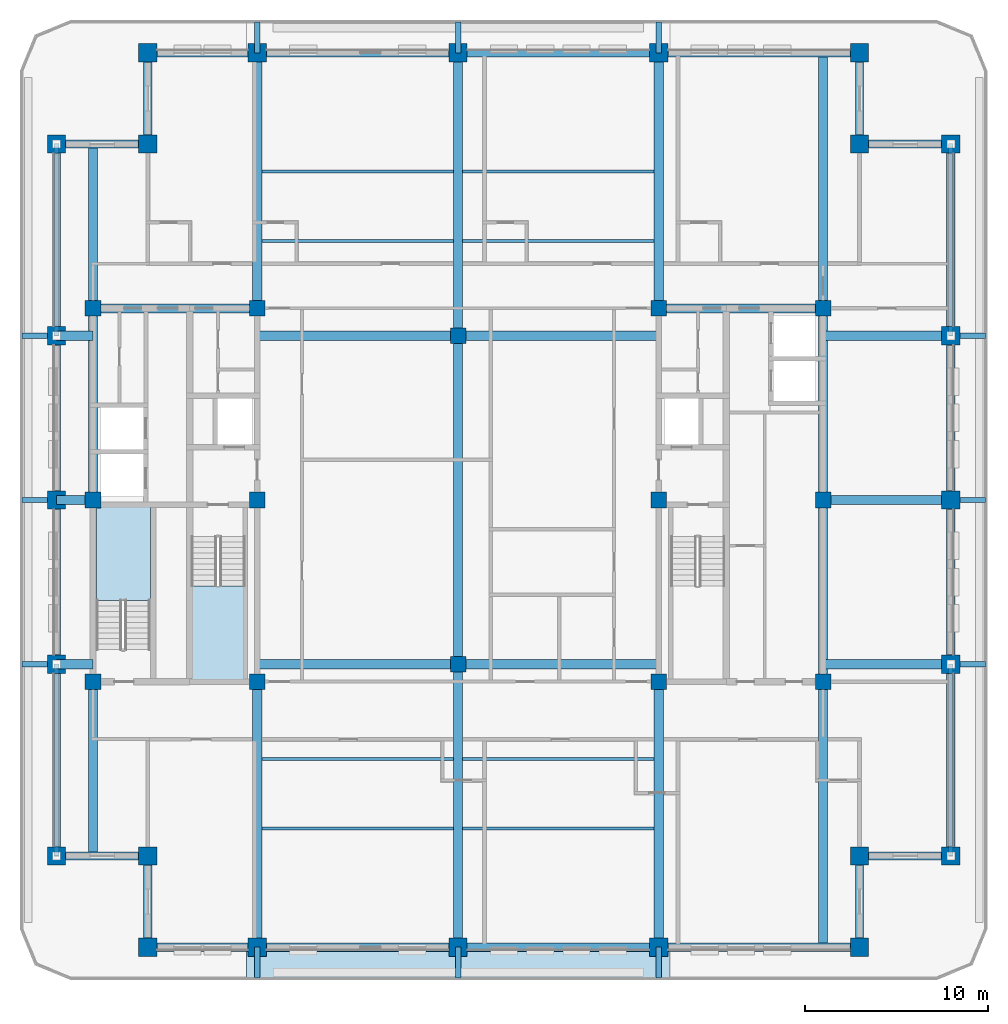
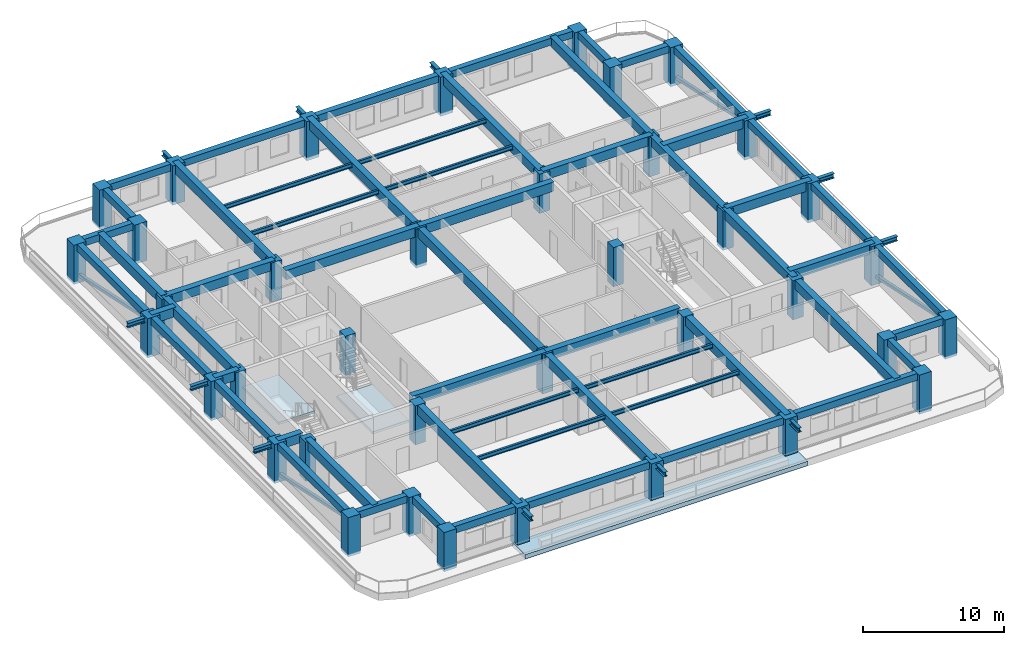
# One storey, part 1 of 14: 70 beams, 38 columns, 4 members, 3 slabs, 2 elements without a shape of their own.
"""IFC4 building model written with IfcOpenShell, lengths in metres."""

import ifcopenshell
import ifcopenshell.guid

model = None  # the IFC model being written
_history = None  # IfcOwnerHistory: only IFC2X3 demands one
_inside = {}  # id of a spatial element -> (the spatial element, [elements in it])
_under = {}  # id of a project, library or spatial element -> (it, [spatial elements below it])
_declared = {}  # id of a project -> (the project, [libraries it declares])
_typed = {}  # id of a type object -> (the type object, [elements of that type])
_made_of = {}  # id of a material, layer set ... -> (it, [elements and type objects made of it])


def new_model(schema):
    """Start an empty IFC model of exactly this schema.

    Asked for "IFC4X3", IfcOpenShell would pick the latest addendum, in which some entities
    have other attributes; the version numbers below select the first issue.
    IFC2X3 requires an IfcOwnerHistory on every rooted entity: one is made here for all.
    """
    global model, _history
    if schema == "IFC4X3":
        model = ifcopenshell.file(schema_version=(4, 3, 0, 0))
    else:
        model = ifcopenshell.file(schema=schema)
    _inside.clear()
    _under.clear()
    _declared.clear()
    _typed.clear()
    _made_of.clear()
    _history = None
    if model.schema == "IFC2X3":
        org = make("IfcOrganization", Name="unknown")
        user = make(
            "IfcPersonAndOrganization",
            ThePerson=make("IfcPerson", FamilyName="unknown"),
            TheOrganization=org,
        )
        app = make(
            "IfcApplication",
            ApplicationDeveloper=org,
            Version="unknown",
            ApplicationFullName="unknown",
            ApplicationIdentifier="unknown",
        )
        _history = make(
            "IfcOwnerHistory",
            OwningUser=user,
            OwningApplication=app,
            ChangeAction="ADDED",
            CreationDate=0,
        )
    return model


def make(cls, **values):
    """One entity of the class cls with the attributes given. An attribute that is None is left unset."""
    return model.create_entity(
        cls, **{name: value for name, value in values.items() if value is not None}
    )


def rooted(cls, **values):
    """An entity with a GlobalId (a new one), such as an element, a storey or a relation."""
    return make(cls, GlobalId=ifcopenshell.guid.new(), OwnerHistory=_history, **values)


def si_unit(unit_type, name, prefix=None):
    """IfcSIUnit, for example si_unit("LENGTHUNIT", "METRE", prefix="MILLI")."""
    return make("IfcSIUnit", UnitType=unit_type, Prefix=prefix, Name=name)


def assignment(units):
    """IfcUnitAssignment: the units of a project."""
    return None if units is None else make("IfcUnitAssignment", Units=units)


def point(xyz):
    """IfcCartesianPoint."""
    return None if xyz is None else make("IfcCartesianPoint", Coordinates=xyz)


def direction(xyz):
    """IfcDirection."""
    return None if xyz is None else make("IfcDirection", DirectionRatios=xyz)


def frame(location, z_axis=None, x_axis=None):
    """IfcAxis2Placement3D, a coordinate frame: its origin and axes. An axis left out is left unset."""
    return make(
        "IfcAxis2Placement3D",
        Location=point(location),
        Axis=direction(z_axis),
        RefDirection=direction(x_axis),
    )


def frame_2d(location, x_axis=None):
    """IfcAxis2Placement2D, a coordinate frame in the plane: its origin and x axis."""
    return make(
        "IfcAxis2Placement2D", Location=point(location), RefDirection=direction(x_axis)
    )


def origin():
    """The frame at (0, 0, 0) with its axes left unset."""
    return frame((0.0, 0.0, 0.0))


def origin_2d():
    """The frame at (0, 0) in the plane with its x axis left unset."""
    return frame_2d((0.0, 0.0))


def place(relative_to, where):
    """IfcLocalPlacement: puts the frame where relative to a parent placement (None: the world)."""
    return make(
        "IfcLocalPlacement", PlacementRelTo=relative_to, RelativePlacement=where
    )


def context(
    kind, dimensions, precision=None, world=None, true_north=None, identifier=None
):
    """IfcGeometricRepresentationContext, for example the 3D "Model" context."""
    return make(
        "IfcGeometricRepresentationContext",
        ContextIdentifier=identifier,
        ContextType=kind,
        CoordinateSpaceDimension=dimensions,
        Precision=precision,
        WorldCoordinateSystem=world,
        TrueNorth=true_north,
    )


def subcontext(parent, identifier, kind, view, scale=None):
    """IfcGeometricRepresentationSubContext, for example "Body" below "Model"."""
    return make(
        "IfcGeometricRepresentationSubContext",
        ContextIdentifier=identifier,
        ContextType=kind,
        ParentContext=parent,
        TargetScale=scale,
        TargetView=view,
    )


def project(units=None, contexts=None):
    """IfcProject with its units and contexts."""
    return rooted(
        "IfcProject",
        Name="project",
        RepresentationContexts=contexts,
        UnitsInContext=assignment(units),
    )


def spatial(cls, under=None, at=None, **own):
    """A site, building, storey or space (cls), placed at a placement, below another one or the project."""
    s = rooted(cls, ObjectPlacement=at, **own)
    if under is not None:
        _under.setdefault(under.id(), (under, []))[1].append(s)
    return s


def polyline(points):
    """IfcPolyline through the points."""
    return make("IfcPolyline", Points=[point(p) for p in points])


def profile(cls, at=None, kind="AREA", **sizes):
    """A parametric profile (cls). Its sizes go by their IFC names, for example OverallWidth=200.0."""
    return make(cls, ProfileType=kind, Position=at, **sizes)


def rectangle(**sizes):
    """IfcRectangleProfileDef."""
    return profile("IfcRectangleProfileDef", **sizes)


def hollow_rectangle(**sizes):
    """IfcRectangleHollowProfileDef."""
    return profile("IfcRectangleHollowProfileDef", **sizes)


def i_section(**sizes):
    """IfcIShapeProfileDef."""
    return profile("IfcIShapeProfileDef", **sizes)


def outline(outer, holes=None, kind="AREA"):
    """IfcArbitraryClosedProfileDef: a profile drawn as a closed curve; with holes, ...WithVoids."""
    if holes is None:
        return make("IfcArbitraryClosedProfileDef", ProfileType=kind, OuterCurve=outer)
    return make(
        "IfcArbitraryProfileDefWithVoids",
        ProfileType=kind,
        OuterCurve=outer,
        InnerCurves=holes,
    )


def extrude(swept, where, along, depth):
    """IfcExtrudedAreaSolid: the profile swept, set in the frame where, extruded along a direction by depth."""
    return make(
        "IfcExtrudedAreaSolid",
        SweptArea=swept,
        Position=where,
        ExtrudedDirection=direction(along),
        Depth=depth,
    )


def shape(context_of_items, identifier, shape_type, items):
    """IfcShapeRepresentation: the items that make up one representation, for example the "Body"."""
    return make(
        "IfcShapeRepresentation",
        ContextOfItems=context_of_items,
        RepresentationIdentifier=identifier,
        RepresentationType=shape_type,
        Items=items,
    )


def material(Name=None, Category=None):
    """IfcMaterial."""
    return make("IfcMaterial", Name=Name, Category=Category)


def layer(
    of_material, thickness, ventilated=None, Name=None, Category=None, Priority=None
):
    """IfcMaterialLayer: one layer of a wall or slab, of a material (None: an air gap)."""
    return make(
        "IfcMaterialLayer",
        Material=of_material,
        LayerThickness=thickness,
        IsVentilated=ventilated,
        Name=Name,
        Category=Category,
        Priority=Priority,
    )


def layer_set(layers, Name=None):
    """IfcMaterialLayerSet."""
    return make("IfcMaterialLayerSet", MaterialLayers=layers, LayerSetName=Name)


def material_profile(
    of_material, cross_section, Name=None, Category=None, Priority=None
):
    """IfcMaterialProfile: a cross section and its material."""
    return make(
        "IfcMaterialProfile",
        Name=Name,
        Material=of_material,
        Profile=cross_section,
        Priority=Priority,
        Category=Category,
    )


def profile_set(profiles, Name=None, composite=None):
    """IfcMaterialProfileSet."""
    return make(
        "IfcMaterialProfileSet",
        Name=Name,
        MaterialProfiles=profiles,
        CompositeProfile=composite,
    )


def made_of(thing, what):
    """Note that an element or type object is made of a material, layer set ...; save() writes the relation."""
    if what is not None:
        _made_of.setdefault(what.id(), (what, []))[1].append(thing)
    return thing


def type_object(cls, material=None, **own):
    """A type object (cls), such as IfcWallType, which elements share."""
    return made_of(rooted(cls, **own), material)


def element(
    cls,
    number,
    at=None,
    inside=None,
    cuts=None,
    type_object=None,
    material=None,
    context=None,
    identifier="Body",
    shape_type=None,
    held_by="IfcProductDefinitionShape",
    body=None,
    shapes=None,
    **own,
):
    """One element of the class cls, such as IfcWall. Its Tag is "e" and its number.

    at: its placement. inside: the storey or other place that contains it. cuts: it is an
    opening in that element (IfcRelVoidsElement). A single representation is given by context,
    identifier, shape_type and body (its items); several are given by shapes. held_by: the class
    of the entity that holds the representations. save() writes the other relations.
    """
    e = rooted(cls, Tag="e%d" % number, ObjectPlacement=at, **own)
    if body is not None:
        shapes = [shape(context, identifier, shape_type, body)]
    if shapes is not None:
        e.Representation = make(held_by, Representations=shapes)
    if inside is not None:
        _inside.setdefault(inside.id(), (inside, []))[1].append(e)
    if cuts is not None:
        rooted(
            "IfcRelVoidsElement", RelatingBuildingElement=cuts, RelatedOpeningElement=e
        )
    if type_object is not None:
        _typed.setdefault(type_object.id(), (type_object, []))[1].append(e)
    return made_of(e, material)


def aggregate(whole, parts):
    """IfcRelAggregates: a whole, such as a stair, and the parts it consists of."""
    return rooted("IfcRelAggregates", RelatingObject=whole, RelatedObjects=parts)


def save(model, path):
    """Write the relations noted so far, then the file.

    IfcRelAggregates (storeys below a building ...), IfcRelContainedInSpatialStructure (elements
    in a storey), IfcRelDefinesByType, IfcRelAssociatesMaterial and IfcRelDeclares: one each for
    every whole, place, type object, material and project.
    """
    for whole, parts in _under.values():
        aggregate(whole, parts)
    for where, things in _inside.values():
        rooted(
            "IfcRelContainedInSpatialStructure",
            RelatedElements=things,
            RelatingStructure=where,
        )
    for kind, things in _typed.values():
        rooted("IfcRelDefinesByType", RelatedObjects=things, RelatingType=kind)
    for what, things in _made_of.values():
        rooted("IfcRelAssociatesMaterial", RelatedObjects=things, RelatingMaterial=what)
    for by, libraries in _declared.values():
        rooted("IfcRelDeclares", RelatingContext=by, RelatedDefinitions=libraries)
    model.write(path)


model = new_model("IFC4")

# Units and contexts
model_context = context("Model", 3, precision=1e-05, world=origin(), true_north=direction((0.0, 1.0)))
body_context = subcontext(model_context, "Body", "Model", "MODEL_VIEW")
ifc_project = project(units=[si_unit("LENGTHUNIT", "METRE"), si_unit("AREAUNIT", "SQUARE_METRE"), si_unit("VOLUMEUNIT", "CUBIC_METRE"), si_unit("PLANEANGLEUNIT", "RADIAN"), si_unit("MASSUNIT", "GRAM", prefix="KILO")], contexts=[model_context])

# Site, building, storey
site_placement = place(None, origin())
site = spatial("IfcSite", under=ifc_project, at=site_placement, CompositionType="ELEMENT")
building_placement = place(site_placement, origin())
building = spatial("IfcBuilding", under=site, at=building_placement, Name="Zulmaris Gate Convention Tower", CompositionType="ELEMENT")
storey_placement = place(building_placement, frame((0.0, 0.0, 162.659912109375)))
storey = spatial("IfcBuildingStorey", under=building, at=storey_placement, Name="L41", CompositionType="ELEMENT", Elevation=162.659912109375)

# Columns
ifc_material_1 = material(Name="Concrete C60/75", Category="concrete")
ifc_material_profile_1 = material_profile(ifc_material_1, rectangle(XDim=1.0, YDim=1.0, at=origin_2d()), Name="RC COL 1000x1000")
ifc_profile_set_1 = profile_set([ifc_material_profile_1], Name="Concrete C60/75")
column_type_1 = type_object("IfcColumnType", Name="COL-RC1000", PredefinedType="COLUMN", material=ifc_profile_set_1)
for number, where, z_axis, x_axis, name in (
    (1, (-17.0, -24.5, -0.25), (0.0, 0.0, 1.0), (1.0, 0.0, 0.0), "L41 Column PT--17.00_-24.50"),
    (2, (-11.0, -24.5, -0.25), (0.0, 0.0, 1.0), (1.0, 0.0, 0.0), "L41 Column PT--11.00_-24.50"),
    (3, (0.0, -24.5, -0.25), (0.0, 0.0, 1.0), (1.0, 0.0, 0.0), "L41 Column PT-+0.00_-24.50"),
    (4, (11.0, -24.5, -0.25), (0.0, 0.0, 1.0), (1.0, 0.0, 0.0), "L41 Column PT-+11.00_-24.50"),
    (5, (22.0, -24.5, -0.25), (0.0, 0.0, 1.0), (1.0, 0.0, 0.0), "L41 Column PT-+22.00_-24.50"),
    (6, (-17.0, 24.5, -0.25), (0.0, 0.0, 1.0), (1.0, 0.0, 0.0), "L41 Column PT--17.00_+24.50"),
    (7, (-11.0, 24.5, -0.25), (0.0, 0.0, 1.0), (1.0, 0.0, 0.0), "L41 Column PT--11.00_+24.50"),
    (8, (0.0, 24.5, -0.25), (0.0, 0.0, 1.0), (1.0, 0.0, 0.0), "L41 Column PT-+0.00_+24.50"),
    (9, (11.0, 24.5, -0.25), (0.0, 0.0, 1.0), (1.0, 0.0, 0.0), "L41 Column PT-+11.00_+24.50"),
    (10, (22.0, 24.5, -0.25), (0.0, 0.0, 1.0), (1.0, 0.0, 0.0), "L41 Column PT-+22.00_+24.50"),
    (11, (-22.0, -19.5, -0.25), (0.0, 0.0, 1.0), (1.0, 0.0, 0.0), "L41 Column PT--22.00_-19.50"),
    (12, (-22.0, -9.0, -0.25), (0.0, 0.0, 1.0), (1.0, 0.0, 0.0), "L41 Column PT--22.00_-9.00"),
    (13, (-22.0, 0.0, -0.25), (0.0, 0.0, 1.0), (1.0, 0.0, 0.0), "L41 Column PT--22.00_+0.00"),
    (14, (-22.0, 9.0, -0.25), (0.0, 0.0, 1.0), (1.0, 0.0, 0.0), "L41 Column PT--22.00_+9.00"),
    (15, (-22.0, 19.5, -0.25), (0.0, 0.0, 1.0), (1.0, 0.0, 0.0), "L41 Column PT--22.00_+19.50"),
    (16, (27.0, -19.5, -0.25), (0.0, 0.0, 1.0), (1.0, 0.0, 0.0), "L41 Column PT-+27.00_-19.50"),
    (17, (27.0, -9.0, -0.25), (0.0, 0.0, 1.0), (1.0, 0.0, 0.0), "L41 Column PT-+27.00_-9.00"),
    (18, (27.0, 0.0, -0.25), (0.0, 0.0, 1.0), (1.0, 0.0, 0.0), "L41 Column PT-+27.00_+0.00"),
    (19, (27.0, 9.0, -0.25), (0.0, 0.0, 1.0), (1.0, 0.0, 0.0), "L41 Column PT-+27.00_+9.00"),
    (20, (27.0, 19.5, -0.25), (0.0, 0.0, 1.0), (1.0, 0.0, 0.0), "L41 Column PT-+27.00_+19.50"),
    (21, (-17.0, -19.5, -0.25), (0.0, 0.0, 1.0), (1.0, 0.0, 0.0), "L41 Column PT--17.00_-19.50"),
    (22, (22.0, -19.5, -0.25), (0.0, 0.0, 1.0), (1.0, 0.0, 0.0), "L41 Column PT-+22.00_-19.50"),
    (23, (22.0, 19.5, -0.25), (0.0, 0.0, 1.0), (1.0, 0.0, 0.0), "L41 Column PT-+22.00_+19.50"),
    (24, (-17.0, 19.5, -0.25), (0.0, 0.0, 1.0), (1.0, 0.0, 0.0), "L41 Column PT--17.00_+19.50"),
):
    element("IfcColumn", number, at=place(storey_placement, frame(where, z_axis=z_axis, x_axis=x_axis)), inside=storey, type_object=column_type_1, Name=name, PredefinedType="COLUMN", context=body_context, shape_type="SweptSolid", body=[
        extrude(rectangle(XDim=1.0, YDim=1.0, at=origin_2d()), origin(), (0.0, 0.0, 1.0), 3.39990234375),
    ])
ifc_material_profile_2 = material_profile(ifc_material_1, rectangle(XDim=0.85009765625, YDim=0.85009765625, at=origin_2d()), Name="RC COL 850x850")
ifc_profile_set_2 = profile_set([ifc_material_profile_2], Name="Concrete C60/75")
column_type_2 = type_object("IfcColumnType", Name="COL-RC850", PredefinedType="COLUMN", material=ifc_profile_set_2)
for number, where, z_axis, x_axis, name in (
    (25, (-20.0, -9.949951171875, -0.25), (0.0, 0.0, 1.0), (1.0, 0.0, 0.0), "L41 Column IN--20.00_-9.95"),
    (26, (-20.0, 10.5, -0.25), (0.0, 0.0, 1.0), (1.0, 0.0, 0.0), "L41 Column IN--20.00_+10.50"),
    (27, (-11.0, -9.949951171875, -0.25), (0.0, 0.0, 1.0), (1.0, 0.0, 0.0), "L41 Column IN--11.00_-9.95"),
    (28, (-11.0, 0.0, -0.25), (0.0, 0.0, 1.0), (1.0, 0.0, 0.0), "L41 Column IN--11.00_+0.00"),
    (29, (-11.0, 10.5, -0.25), (0.0, 0.0, 1.0), (1.0, 0.0, 0.0), "L41 Column IN--11.00_+10.50"),
    (30, (11.0, -9.949951171875, -0.25), (0.0, 0.0, 1.0), (1.0, 0.0, 0.0), "L41 Column IN-+11.00_-9.95"),
    (31, (11.0, 0.0, -0.25), (0.0, 0.0, 1.0), (1.0, 0.0, 0.0), "L41 Column IN-+11.00_+0.00"),
    (32, (11.0, 10.5, -0.25), (0.0, 0.0, 1.0), (1.0, 0.0, 0.0), "L41 Column IN-+11.00_+10.50"),
    (33, (20.0, -9.949951171875, -0.25), (0.0, 0.0, 1.0), (1.0, 0.0, 0.0), "L41 Column IN-+20.00_-9.95"),
    (34, (20.0, 10.5, -0.25), (0.0, 0.0, 1.0), (1.0, 0.0, 0.0), "L41 Column IN-+20.00_+10.50"),
    (35, (0.0, -9.0, -0.25), (0.0, 0.0, 1.0), (1.0, 0.0, 0.0), "L41 Column IN-+0.00_-9.00"),
    (36, (0.0, 9.0, -0.25), (0.0, 0.0, 1.0), (1.0, 0.0, 0.0), "L41 Column IN-+0.00_+9.00"),
    (37, (-20.0, 0.0, -0.25), (0.0, 0.0, 1.0), (1.0, 0.0, 0.0), "L41 Column IN--20.00_+0.00"),
    (38, (20.0, 0.0, -0.25), (0.0, 0.0, 1.0), (1.0, 0.0, 0.0), "L41 Column IN-+20.00_+0.00"),
):
    element("IfcColumn", number, at=place(storey_placement, frame(where, z_axis=z_axis, x_axis=x_axis)), inside=storey, type_object=column_type_2, Name=name, PredefinedType="COLUMN", context=body_context, shape_type="SweptSolid", body=[
        extrude(rectangle(XDim=0.85009765625, YDim=0.85009765625, at=origin_2d()), origin(), (0.0, 0.0, 1.0), 3.39990234375),
    ])

# Beams
ifc_material_2 = material(Name="Steel S355", Category="steel")
ifc_material_profile_3 = material_profile(ifc_material_2, i_section(OverallWidth=0.300048828125, OverallDepth=0.39990234375, WebThickness=0.013427734375, FlangeThickness=0.02392578125, FilletRadius=0.027099609375, at=origin_2d()), Name="HEB 400")
ifc_profile_set_3 = profile_set([ifc_material_profile_3], Name="Steel S355")
beam_type_1 = type_object("IfcBeamType", Name="BM-HEB400", PredefinedType="BEAM", material=ifc_profile_set_3)
for number, where, z_axis, x_axis, name in (
    (39, (-11.0, -26.199951171875, 2.809814453125), (0.0, 1.0, 0.0), (-1.0, 0.0, 0.0), "L41 Beam TBRK-L41-S--11"),
    (40, (-11.0, 24.5, 2.809814453125), (0.0, 1.0, 0.0), (-1.0, 0.0, 0.0), "L41 Beam TBRK-L41-N--11"),
    (41, (0.0, -26.199951171875, 2.809814453125), (0.0, 1.0, 0.0), (-1.0, 0.0, 0.0), "L41 Beam TBRK-L41-S-+0"),
    (42, (0.0, 24.5, 2.809814453125), (0.0, 1.0, 0.0), (-1.0, 0.0, 0.0), "L41 Beam TBRK-L41-N-+0"),
    (43, (11.0, -26.199951171875, 2.809814453125), (0.0, 1.0, 0.0), (-1.0, 0.0, 0.0), "L41 Beam TBRK-L41-S-+11"),
    (44, (11.0, 24.5, 2.809814453125), (0.0, 1.0, 0.0), (-1.0, 0.0, 0.0), "L41 Beam TBRK-L41-N-+11"),
):
    element("IfcBeam", number, at=place(storey_placement, frame(where, z_axis=z_axis, x_axis=x_axis)), inside=storey, type_object=beam_type_1, Name=name, PredefinedType="BEAM", context=body_context, shape_type="SweptSolid", body=[
        extrude(i_section(OverallWidth=0.300048828125, OverallDepth=0.39990234375, WebThickness=0.013427734375, FlangeThickness=0.02392578125, FilletRadius=0.027099609375, at=origin_2d()), origin(), (0.0, 0.0, 1.0), 1.699951171875),
    ])
for number, where, z_axis, x_axis, name in (
    (45, (-23.89990234375, -9.0, 2.809814453125), (1.0, 0.0, 0.0), (0.0, 1.0, 0.0), "L41 Beam TBRK-L41-W--9"),
    (46, (27.0, -9.0, 2.809814453125), (1.0, 0.0, 0.0), (0.0, 1.0, 0.0), "L41 Beam TBRK-L41-E--9"),
    (47, (-23.89990234375, 0.0, 2.809814453125), (1.0, 0.0, 0.0), (0.0, 1.0, 0.0), "L41 Beam TBRK-L41-W-+0"),
    (48, (27.0, 0.0, 2.809814453125), (1.0, 0.0, 0.0), (0.0, 1.0, 0.0), "L41 Beam TBRK-L41-E-+0"),
    (49, (-23.89990234375, 9.0, 2.809814453125), (1.0, 0.0, 0.0), (0.0, 1.0, 0.0), "L41 Beam TBRK-L41-W-+9"),
    (50, (27.0, 9.0, 2.809814453125), (1.0, 0.0, 0.0), (0.0, 1.0, 0.0), "L41 Beam TBRK-L41-E-+9"),
):
    element("IfcBeam", number, at=place(storey_placement, frame(where, z_axis=z_axis, x_axis=x_axis)), inside=storey, type_object=beam_type_1, Name=name, PredefinedType="BEAM", context=body_context, shape_type="SweptSolid", body=[
        extrude(i_section(OverallWidth=0.300048828125, OverallDepth=0.39990234375, WebThickness=0.013427734375, FlangeThickness=0.02392578125, FilletRadius=0.027099609375, at=origin_2d()), origin(), (0.0, 0.0, 1.0), 1.89990234375),
    ])
ifc_material_3 = material(Name="Concrete C50/60", Category="concrete")
ifc_material_profile_4 = material_profile(ifc_material_3, rectangle(XDim=0.5, YDim=0.800048828125, at=origin_2d()), Name="RC BEAM 500x800")
ifc_profile_set_4 = profile_set([ifc_material_profile_4], Name="Concrete C50/60")
beam_type_2 = type_object("IfcBeamType", Name="BM-RC500x800", PredefinedType="BEAM", material=ifc_profile_set_4)
for number, where, z_axis, x_axis, name in (
    (51, (-11.0, -9.0, 2.75), (1.0, 0.0, 0.0), (0.0, 1.0, 0.0), "L41 Beam BM-L41-G01"),
    (52, (0.0, -9.0, 2.75), (1.0, 0.0, 0.0), (0.0, 1.0, 0.0), "L41 Beam BM-L41-G02"),
    (53, (-11.0, 9.0, 2.75), (1.0, 0.0, 0.0), (0.0, 1.0, 0.0), "L41 Beam BM-L41-G03"),
    (54, (0.0, 9.0, 2.75), (1.0, 0.0, 0.0), (0.0, 1.0, 0.0), "L41 Beam BM-L41-G04"),
):
    element("IfcBeam", number, at=place(storey_placement, frame(where, z_axis=z_axis, x_axis=x_axis)), inside=storey, type_object=beam_type_2, Name=name, PredefinedType="BEAM", context=body_context, shape_type="SweptSolid", body=[
        extrude(rectangle(XDim=0.5, YDim=0.800048828125, at=origin_2d()), origin(), (0.0, 0.0, 1.0), 11.0),
    ])
beam_1_placement = place(storey_placement, frame((0.0, -24.5, 2.75), z_axis=(0.0, 1.0, 0.0), x_axis=(-1.0, 0.0, 0.0)))
element("IfcBeam", 55, at=beam_1_placement, inside=storey, type_object=beam_type_2, Name="L41 Beam BM-L41-G05", PredefinedType="BEAM", context=body_context, shape_type="SweptSolid", body=[
    extrude(rectangle(XDim=0.5, YDim=0.800048828125, at=origin_2d()), origin(), (0.0, 0.0, 1.0), 15.5),
])
beam_2_placement = place(storey_placement, frame((0.0, -9.0, 2.75), z_axis=(0.0, 1.0, 0.0), x_axis=(-1.0, 0.0, 0.0)))
element("IfcBeam", 56, at=beam_2_placement, inside=storey, type_object=beam_type_2, Name="L41 Beam BM-L41-G06", PredefinedType="BEAM", context=body_context, shape_type="SweptSolid", body=[
    extrude(rectangle(XDim=0.5, YDim=0.800048828125, at=origin_2d()), origin(), (0.0, 0.0, 1.0), 18.0),
])
beam_3_placement = place(storey_placement, frame((0.0, 9.0, 2.75), z_axis=(0.0, 1.0, 0.0), x_axis=(-1.0, 0.0, 0.0)))
element("IfcBeam", 57, at=beam_3_placement, inside=storey, type_object=beam_type_2, Name="L41 Beam BM-L41-G07", PredefinedType="BEAM", context=body_context, shape_type="SweptSolid", body=[
    extrude(rectangle(XDim=0.5, YDim=0.800048828125, at=origin_2d()), origin(), (0.0, 0.0, 1.0), 15.5),
])
beam_4_placement = place(storey_placement, frame((-11.0, -24.5, 2.75), z_axis=(0.0, 1.0, 0.0), x_axis=(-1.0, 0.0, 0.0)))
element("IfcBeam", 58, at=beam_4_placement, inside=storey, type_object=beam_type_2, Name="L41 Beam BM-L41-G08", PredefinedType="BEAM", context=body_context, shape_type="SweptSolid", body=[
    extrude(rectangle(XDim=0.5, YDim=0.800048828125, at=origin_2d()), origin(), (0.0, 0.0, 1.0), 14.550048828125),
])
beam_5_placement = place(storey_placement, frame((-11.0, 10.5, 2.75), z_axis=(0.0, 1.0, 0.0), x_axis=(-1.0, 0.0, 0.0)))
element("IfcBeam", 59, at=beam_5_placement, inside=storey, type_object=beam_type_2, Name="L41 Beam BM-L41-G09", PredefinedType="BEAM", context=body_context, shape_type="SweptSolid", body=[
    extrude(rectangle(XDim=0.5, YDim=0.800048828125, at=origin_2d()), origin(), (0.0, 0.0, 1.0), 14.0),
])
beam_6_placement = place(storey_placement, frame((11.0, -24.5, 2.75), z_axis=(0.0, 1.0, 0.0), x_axis=(-1.0, 0.0, 0.0)))
element("IfcBeam", 60, at=beam_6_placement, inside=storey, type_object=beam_type_2, Name="L41 Beam BM-L41-G10", PredefinedType="BEAM", context=body_context, shape_type="SweptSolid", body=[
    extrude(rectangle(XDim=0.5, YDim=0.800048828125, at=origin_2d()), origin(), (0.0, 0.0, 1.0), 14.550048828125),
])
beam_7_placement = place(storey_placement, frame((11.0, 10.5, 2.75), z_axis=(0.0, 1.0, 0.0), x_axis=(-1.0, 0.0, 0.0)))
element("IfcBeam", 61, at=beam_7_placement, inside=storey, type_object=beam_type_2, Name="L41 Beam BM-L41-G11", PredefinedType="BEAM", context=body_context, shape_type="SweptSolid", body=[
    extrude(rectangle(XDim=0.5, YDim=0.800048828125, at=origin_2d()), origin(), (0.0, 0.0, 1.0), 14.0),
])
beam_8_placement = place(storey_placement, frame((-20.0, -19.5, 2.75), z_axis=(0.0, 1.0, 0.0), x_axis=(-1.0, 0.0, 0.0)))
element("IfcBeam", 62, at=beam_8_placement, inside=storey, type_object=beam_type_2, Name="L41 Beam BM-L41-G12", PredefinedType="BEAM", context=body_context, shape_type="SweptSolid", body=[
    extrude(rectangle(XDim=0.5, YDim=0.800048828125, at=origin_2d()), origin(), (0.0, 0.0, 1.0), 9.550048828125),
])
beam_9_placement = place(storey_placement, frame((-20.0, 10.5, 2.75), z_axis=(0.0, 1.0, 0.0), x_axis=(-1.0, 0.0, 0.0)))
element("IfcBeam", 63, at=beam_9_placement, inside=storey, type_object=beam_type_2, Name="L41 Beam BM-L41-G13", PredefinedType="BEAM", context=body_context, shape_type="SweptSolid", body=[
    extrude(rectangle(XDim=0.5, YDim=0.800048828125, at=origin_2d()), origin(), (0.0, 0.0, 1.0), 9.0),
])
beam_10_placement = place(storey_placement, frame((20.0, -24.5, 2.75), z_axis=(0.0, 1.0, 0.0), x_axis=(-1.0, 0.0, 0.0)))
element("IfcBeam", 64, at=beam_10_placement, inside=storey, type_object=beam_type_2, Name="L41 Beam BM-L41-G14", PredefinedType="BEAM", context=body_context, shape_type="SweptSolid", body=[
    extrude(rectangle(XDim=0.5, YDim=0.800048828125, at=origin_2d()), origin(), (0.0, 0.0, 1.0), 14.550048828125),
])
beam_11_placement = place(storey_placement, frame((20.0, 10.5, 2.75), z_axis=(0.0, 1.0, 0.0), x_axis=(-1.0, 0.0, 0.0)))
element("IfcBeam", 65, at=beam_11_placement, inside=storey, type_object=beam_type_2, Name="L41 Beam BM-L41-G15", PredefinedType="BEAM", context=body_context, shape_type="SweptSolid", body=[
    extrude(rectangle(XDim=0.5, YDim=0.800048828125, at=origin_2d()), origin(), (0.0, 0.0, 1.0), 14.0),
])
for number, where, z_axis, x_axis, name in (
    (66, (-22.0, -9.0, 2.75), (1.0, 0.0, 0.0), (0.0, 1.0, 0.0), "L41 Beam BM-L41-G16"),
    (67, (-22.0, 0.0, 2.75), (1.0, 0.0, 0.0), (0.0, 1.0, 0.0), "L41 Beam BM-L41-G17"),
    (68, (-22.0, 9.0, 2.75), (1.0, 0.0, 0.0), (0.0, 1.0, 0.0), "L41 Beam BM-L41-G18"),
):
    element("IfcBeam", number, at=place(storey_placement, frame(where, z_axis=z_axis, x_axis=x_axis)), inside=storey, type_object=beam_type_2, Name=name, PredefinedType="BEAM", context=body_context, shape_type="SweptSolid", body=[
        extrude(rectangle(XDim=0.5, YDim=0.800048828125, at=origin_2d()), origin(), (0.0, 0.0, 1.0), 2.0),
    ])
for number, where, z_axis, x_axis, name in (
    (69, (20.0, -9.0, 2.75), (1.0, 0.0, 0.0), (0.0, 1.0, 0.0), "L41 Beam BM-L41-G19"),
    (70, (20.0, 0.0, 2.75), (1.0, 0.0, 0.0), (0.0, 1.0, 0.0), "L41 Beam BM-L41-G20"),
    (71, (20.0, 9.0, 2.75), (1.0, 0.0, 0.0), (0.0, 1.0, 0.0), "L41 Beam BM-L41-G21"),
):
    element("IfcBeam", number, at=place(storey_placement, frame(where, z_axis=z_axis, x_axis=x_axis)), inside=storey, type_object=beam_type_2, Name=name, PredefinedType="BEAM", context=body_context, shape_type="SweptSolid", body=[
        extrude(rectangle(XDim=0.5, YDim=0.800048828125, at=origin_2d()), origin(), (0.0, 0.0, 1.0), 7.0),
    ])
for number, where, z_axis, x_axis, name in (
    (72, (-20.0, 10.5, 2.75), (1.0, 0.0, 0.0), (0.0, 1.0, 0.0), "L41 Beam BM-L41-G23"),
    (73, (11.0, 10.5, 2.75), (1.0, 0.0, 0.0), (0.0, 1.0, 0.0), "L41 Beam BM-L41-G25"),
):
    element("IfcBeam", number, at=place(storey_placement, frame(where, z_axis=z_axis, x_axis=x_axis)), inside=storey, type_object=beam_type_2, Name=name, PredefinedType="BEAM", context=body_context, shape_type="SweptSolid", body=[
        extrude(rectangle(XDim=0.5, YDim=0.800048828125, at=origin_2d()), origin(), (0.0, 0.0, 1.0), 9.0),
    ])
beam_12_placement = place(storey_placement, frame((-20.0, 0.0, 2.75), z_axis=(0.0, 1.0, 0.0), x_axis=(-1.0, 0.0, 0.0)))
element("IfcBeam", 74, at=beam_12_placement, inside=storey, type_object=beam_type_2, Name="L41 Beam BM-L41-G27", PredefinedType="BEAM", context=body_context, shape_type="SweptSolid", body=[
    extrude(rectangle(XDim=0.5, YDim=0.800048828125, at=origin_2d()), origin(), (0.0, 0.0, 1.0), 10.5),
])
beam_13_placement = place(storey_placement, frame((20.0, -9.949951171875, 2.75), z_axis=(0.0, 1.0, 0.0), x_axis=(-1.0, 0.0, 0.0)))
element("IfcBeam", 75, at=beam_13_placement, inside=storey, type_object=beam_type_2, Name="L41 Beam BM-L41-G28", PredefinedType="BEAM", context=body_context, shape_type="SweptSolid", body=[
    extrude(rectangle(XDim=0.5, YDim=0.800048828125, at=origin_2d()), origin(), (0.0, 0.0, 1.0), 9.949951171875),
])
beam_14_placement = place(storey_placement, frame((20.0, 0.0, 2.75), z_axis=(0.0, 1.0, 0.0), x_axis=(-1.0, 0.0, 0.0)))
element("IfcBeam", 76, at=beam_14_placement, inside=storey, type_object=beam_type_2, Name="L41 Beam BM-L41-G29", PredefinedType="BEAM", context=body_context, shape_type="SweptSolid", body=[
    extrude(rectangle(XDim=0.5, YDim=0.800048828125, at=origin_2d()), origin(), (0.0, 0.0, 1.0), 10.5),
])
ifc_material_4 = material(Name="Precast concrete C50/60", Category="concrete")
ifc_material_profile_5 = material_profile(ifc_material_4, rectangle(XDim=0.449951171875, YDim=0.60009765625, at=origin_2d()), Name="RC SPANDREL 450x600")
ifc_profile_set_5 = profile_set([ifc_material_profile_5], Name="Precast concrete C50/60")
beam_type_3 = type_object("IfcBeamType", Name="BM-SP450x600", PredefinedType="SPANDREL", material=ifc_profile_set_5)
beam_15_placement = place(storey_placement, frame((-17.0, -24.5, 2.849853515625), z_axis=(1.0, 0.0, 0.0), x_axis=(0.0, 1.0, 0.0)))
element("IfcBeam", 77, at=beam_15_placement, inside=storey, type_object=beam_type_3, Name="L41 Spandrel SP-L41-01", PredefinedType="SPANDREL", context=body_context, shape_type="SweptSolid", body=[
    extrude(rectangle(XDim=0.449951171875, YDim=0.60009765625, at=origin_2d()), origin(), (0.0, 0.0, 1.0), 6.0),
])
for number, where, z_axis, x_axis, name in (
    (78, (-11.0, -24.5, 2.849853515625), (1.0, 0.0, 0.0), (0.0, 1.0, 0.0), "L41 Spandrel SP-L41-02"),
    (79, (0.0, -24.5, 2.849853515625), (1.0, 0.0, 0.0), (0.0, 1.0, 0.0), "L41 Spandrel SP-L41-03"),
    (80, (11.0, -24.5, 2.849853515625), (1.0, 0.0, 0.0), (0.0, 1.0, 0.0), "L41 Spandrel SP-L41-04"),
):
    element("IfcBeam", number, at=place(storey_placement, frame(where, z_axis=z_axis, x_axis=x_axis)), inside=storey, type_object=beam_type_3, Name=name, PredefinedType="SPANDREL", context=body_context, shape_type="SweptSolid", body=[
        extrude(rectangle(XDim=0.449951171875, YDim=0.60009765625, at=origin_2d()), origin(), (0.0, 0.0, 1.0), 11.0),
    ])
for number, where, z_axis, x_axis, name in (
    (81, (22.0, -24.5, 2.849853515625), (0.0, 1.0, 0.0), (-1.0, 0.0, 0.0), "L41 Spandrel SP-L41-05"),
    (82, (22.0, -19.5, 2.849853515625), (1.0, 0.0, 0.0), (0.0, 1.0, 0.0), "L41 Spandrel SP-L41-06"),
):
    element("IfcBeam", number, at=place(storey_placement, frame(where, z_axis=z_axis, x_axis=x_axis)), inside=storey, type_object=beam_type_3, Name=name, PredefinedType="SPANDREL", context=body_context, shape_type="SweptSolid", body=[
        extrude(rectangle(XDim=0.449951171875, YDim=0.60009765625, at=origin_2d()), origin(), (0.0, 0.0, 1.0), 5.0),
    ])
beam_16_placement = place(storey_placement, frame((27.0, -19.5, 2.849853515625), z_axis=(0.0, 1.0, 0.0), x_axis=(-1.0, 0.0, 0.0)))
element("IfcBeam", 83, at=beam_16_placement, inside=storey, type_object=beam_type_3, Name="L41 Spandrel SP-L41-07", PredefinedType="SPANDREL", context=body_context, shape_type="SweptSolid", body=[
    extrude(rectangle(XDim=0.449951171875, YDim=0.60009765625, at=origin_2d()), origin(), (0.0, 0.0, 1.0), 10.5),
])
for number, where, z_axis, x_axis, name in (
    (84, (27.0, -9.0, 2.849853515625), (0.0, 1.0, 0.0), (-1.0, 0.0, 0.0), "L41 Spandrel SP-L41-08"),
    (85, (27.0, 0.0, 2.849853515625), (0.0, 1.0, 0.0), (-1.0, 0.0, 0.0), "L41 Spandrel SP-L41-09"),
):
    element("IfcBeam", number, at=place(storey_placement, frame(where, z_axis=z_axis, x_axis=x_axis)), inside=storey, type_object=beam_type_3, Name=name, PredefinedType="SPANDREL", context=body_context, shape_type="SweptSolid", body=[
        extrude(rectangle(XDim=0.449951171875, YDim=0.60009765625, at=origin_2d()), origin(), (0.0, 0.0, 1.0), 9.0),
    ])
beam_17_placement = place(storey_placement, frame((27.0, 9.0, 2.849853515625), z_axis=(0.0, 1.0, 0.0), x_axis=(-1.0, 0.0, 0.0)))
element("IfcBeam", 86, at=beam_17_placement, inside=storey, type_object=beam_type_3, Name="L41 Spandrel SP-L41-10", PredefinedType="SPANDREL", context=body_context, shape_type="SweptSolid", body=[
    extrude(rectangle(XDim=0.449951171875, YDim=0.60009765625, at=origin_2d()), origin(), (0.0, 0.0, 1.0), 10.5),
])
for number, where, z_axis, x_axis, name in (
    (87, (27.0, 19.5, 2.849853515625), (-1.0, 0.0, 0.0), (0.0, -1.0, 0.0), "L41 Spandrel SP-L41-11"),
    (88, (22.0, 19.5, 2.849853515625), (0.0, 1.0, 0.0), (-1.0, 0.0, 0.0), "L41 Spandrel SP-L41-12"),
):
    element("IfcBeam", number, at=place(storey_placement, frame(where, z_axis=z_axis, x_axis=x_axis)), inside=storey, type_object=beam_type_3, Name=name, PredefinedType="SPANDREL", context=body_context, shape_type="SweptSolid", body=[
        extrude(rectangle(XDim=0.449951171875, YDim=0.60009765625, at=origin_2d()), origin(), (0.0, 0.0, 1.0), 5.0),
    ])
for number, where, z_axis, x_axis, name in (
    (89, (22.0, 24.5, 2.849853515625), (-1.0, 0.0, 0.0), (0.0, -1.0, 0.0), "L41 Spandrel SP-L41-13"),
    (90, (11.0, 24.5, 2.849853515625), (-1.0, 0.0, 0.0), (0.0, -1.0, 0.0), "L41 Spandrel SP-L41-14"),
    (91, (0.0, 24.5, 2.849853515625), (-1.0, 0.0, 0.0), (0.0, -1.0, 0.0), "L41 Spandrel SP-L41-15"),
):
    element("IfcBeam", number, at=place(storey_placement, frame(where, z_axis=z_axis, x_axis=x_axis)), inside=storey, type_object=beam_type_3, Name=name, PredefinedType="SPANDREL", context=body_context, shape_type="SweptSolid", body=[
        extrude(rectangle(XDim=0.449951171875, YDim=0.60009765625, at=origin_2d()), origin(), (0.0, 0.0, 1.0), 11.0),
    ])
beam_18_placement = place(storey_placement, frame((-11.0, 24.5, 2.849853515625), z_axis=(-1.0, 0.0, 0.0), x_axis=(0.0, -1.0, 0.0)))
element("IfcBeam", 92, at=beam_18_placement, inside=storey, type_object=beam_type_3, Name="L41 Spandrel SP-L41-16", PredefinedType="SPANDREL", context=body_context, shape_type="SweptSolid", body=[
    extrude(rectangle(XDim=0.449951171875, YDim=0.60009765625, at=origin_2d()), origin(), (0.0, 0.0, 1.0), 6.0),
])
for number, where, z_axis, x_axis, name in (
    (93, (-17.0, 24.5, 2.849853515625), (0.0, -1.0, 0.0), (1.0, 0.0, 0.0), "L41 Spandrel SP-L41-17"),
    (94, (-17.0, 19.5, 2.849853515625), (-1.0, 0.0, 0.0), (0.0, -1.0, 0.0), "L41 Spandrel SP-L41-18"),
):
    element("IfcBeam", number, at=place(storey_placement, frame(where, z_axis=z_axis, x_axis=x_axis)), inside=storey, type_object=beam_type_3, Name=name, PredefinedType="SPANDREL", context=body_context, shape_type="SweptSolid", body=[
        extrude(rectangle(XDim=0.449951171875, YDim=0.60009765625, at=origin_2d()), origin(), (0.0, 0.0, 1.0), 5.0),
    ])
beam_19_placement = place(storey_placement, frame((-22.0, 19.5, 2.849853515625), z_axis=(0.0, -1.0, 0.0), x_axis=(1.0, 0.0, 0.0)))
element("IfcBeam", 95, at=beam_19_placement, inside=storey, type_object=beam_type_3, Name="L41 Spandrel SP-L41-19", PredefinedType="SPANDREL", context=body_context, shape_type="SweptSolid", body=[
    extrude(rectangle(XDim=0.449951171875, YDim=0.60009765625, at=origin_2d()), origin(), (0.0, 0.0, 1.0), 10.5),
])
for number, where, z_axis, x_axis, name in (
    (96, (-22.0, 9.0, 2.849853515625), (0.0, -1.0, 0.0), (1.0, 0.0, 0.0), "L41 Spandrel SP-L41-20"),
    (97, (-22.0, 0.0, 2.849853515625), (0.0, -1.0, 0.0), (1.0, 0.0, 0.0), "L41 Spandrel SP-L41-21"),
):
    element("IfcBeam", number, at=place(storey_placement, frame(where, z_axis=z_axis, x_axis=x_axis)), inside=storey, type_object=beam_type_3, Name=name, PredefinedType="SPANDREL", context=body_context, shape_type="SweptSolid", body=[
        extrude(rectangle(XDim=0.449951171875, YDim=0.60009765625, at=origin_2d()), origin(), (0.0, 0.0, 1.0), 9.0),
    ])
beam_20_placement = place(storey_placement, frame((-22.0, -9.0, 2.849853515625), z_axis=(0.0, -1.0, 0.0), x_axis=(1.0, 0.0, 0.0)))
element("IfcBeam", 98, at=beam_20_placement, inside=storey, type_object=beam_type_3, Name="L41 Spandrel SP-L41-22", PredefinedType="SPANDREL", context=body_context, shape_type="SweptSolid", body=[
    extrude(rectangle(XDim=0.449951171875, YDim=0.60009765625, at=origin_2d()), origin(), (0.0, 0.0, 1.0), 10.5),
])
for number, where, z_axis, x_axis, name in (
    (99, (-22.0, -19.5, 2.849853515625), (1.0, 0.0, 0.0), (0.0, 1.0, 0.0), "L41 Spandrel SP-L41-23"),
    (100, (-17.0, -19.5, 2.849853515625), (0.0, -1.0, 0.0), (1.0, 0.0, 0.0), "L41 Spandrel SP-L41-24"),
):
    element("IfcBeam", number, at=place(storey_placement, frame(where, z_axis=z_axis, x_axis=x_axis)), inside=storey, type_object=beam_type_3, Name=name, PredefinedType="SPANDREL", context=body_context, shape_type="SweptSolid", body=[
        extrude(rectangle(XDim=0.449951171875, YDim=0.60009765625, at=origin_2d()), origin(), (0.0, 0.0, 1.0), 5.0),
    ])

# Members
ifc_material_profile_6 = material_profile(ifc_material_2, hollow_rectangle(XDim=0.25, YDim=0.25, WallThickness=0.012451171875, at=origin_2d()), Name="SHS 250x250x12.5")
ifc_profile_set_6 = profile_set([ifc_material_profile_6], Name="Steel S355")
member_type = type_object("IfcMemberType", Name="BR-SHS250", PredefinedType="BRACE", material=ifc_profile_set_6)
for number, where, z_axis, x_axis, name in (
    (101, (-22.0, -9.0, 0.300048828125), (0.0, -0.978187512575, 0.207723831667), (1.0, 0.0, 0.0), "L41 Perimeter Tube Diagonal SW-W"),
    (102, (-22.0, 19.5, 0.300048828125), (0.0, -0.978187512575, 0.207723831667), (1.0, 0.0, 0.0), "L41 Perimeter Tube Diagonal NW-W"),
    (103, (27.0, -9.0, 0.300048828125), (0.0, -0.978187512575, 0.207723831667), (1.0, 0.0, 0.0), "L41 Perimeter Tube Diagonal SE-E"),
    (104, (27.0, 19.5, 0.300048828125), (0.0, -0.978187512575, 0.207723831667), (1.0, 0.0, 0.0), "L41 Perimeter Tube Diagonal NE-E"),
):
    element("IfcMember", number, at=place(storey_placement, frame(where, z_axis=z_axis, x_axis=x_axis)), inside=storey, type_object=member_type, Name=name, PredefinedType="BRACE", context=body_context, shape_type="SweptSolid", body=[
        extrude(hollow_rectangle(XDim=0.25, YDim=0.25, WallThickness=0.012451171875, at=origin_2d()), origin(), (0.0, 0.0, 1.0), 10.734130859375),
    ])

# Beams
ifc_material_profile_7 = material_profile(ifc_material_2, i_section(OverallWidth=0.169921875, OverallDepth=0.360107421875, WebThickness=0.008056640625, FlangeThickness=0.0126953125, FilletRadius=0.01806640625, at=origin_2d()), Name="IPE 360")
ifc_profile_set_7 = profile_set([ifc_material_profile_7], Name="Steel S355")
beam_type_4 = type_object("IfcBeamType", Name="JT-IPE360", PredefinedType="JOIST", material=ifc_profile_set_7)
for number, where, z_axis, x_axis, name in (
    (105, (-10.75, -18.0, 2.9677734375), (1.0, 0.0, 0.0), (0.0, 1.0, 0.0), "L41 Joist JT-L41-CW--18.0"),
    (106, (0.25, -18.0, 2.9677734375), (1.0, 0.0, 0.0), (0.0, 1.0, 0.0), "L41 Joist JT-L41-CE--18.0"),
    (107, (-10.75, -14.199951171875, 2.9677734375), (1.0, 0.0, 0.0), (0.0, 1.0, 0.0), "L41 Joist JT-L41-CW--14.2"),
    (108, (0.25, -14.199951171875, 2.9677734375), (1.0, 0.0, 0.0), (0.0, 1.0, 0.0), "L41 Joist JT-L41-CE--14.2"),
    (109, (-10.75, 14.199951171875, 2.9677734375), (1.0, 0.0, 0.0), (0.0, 1.0, 0.0), "L41 Joist JT-L41-CW-+14.2"),
    (110, (0.25, 14.199951171875, 2.9677734375), (1.0, 0.0, 0.0), (0.0, 1.0, 0.0), "L41 Joist JT-L41-CE-+14.2"),
    (111, (-10.75, 18.0, 2.9677734375), (1.0, 0.0, 0.0), (0.0, 1.0, 0.0), "L41 Joist JT-L41-CW-+18.0"),
    (112, (0.25, 18.0, 2.9677734375), (1.0, 0.0, 0.0), (0.0, 1.0, 0.0), "L41 Joist JT-L41-CE-+18.0"),
):
    element("IfcBeam", number, at=place(storey_placement, frame(where, z_axis=z_axis, x_axis=x_axis)), inside=storey, type_object=beam_type_4, Name=name, PredefinedType="JOIST", context=body_context, shape_type="SweptSolid", body=[
        extrude(i_section(OverallWidth=0.169921875, OverallDepth=0.360107421875, WebThickness=0.008056640625, FlangeThickness=0.0126953125, FilletRadius=0.01806640625, at=origin_2d()), origin(), (0.0, 0.0, 1.0), 10.5),
    ])

# Slab
ifc_layer_1 = layer(ifc_material_4, 0.239990234375, Name="Precast concrete C50/60")
ifc_layer_set_1 = layer_set([ifc_layer_1], Name="Precast concrete C50/60")
slab_type_1 = type_object("IfcSlabType", Name="SL-BAL-240", PredefinedType="FLOOR", material=ifc_layer_set_1)
slab_1_placement = place(storey_placement, frame((0.0, 0.0, -0.425048828125)))
element("IfcSlab", 113, at=slab_1_placement, inside=storey, type_object=slab_type_1, Name="L41 South Tree-Balcony Planter Slab", PredefinedType="FLOOR", context=body_context, shape_type="SweptSolid", body=[
    extrude(outline(polyline([(-11.597900390625, -26.300048828125), (-11.597900390625, -24.5), (11.597900390625, -24.5), (11.597900390625, -26.300048828125), (-11.597900390625, -26.300048828125)])), origin(), (0.0, 0.0, 1.0), 0.385009765625),
])

# Stair, slab
ifc_material_5 = material(Name="Concrete C45/55", Category="concrete")
stair_type = type_object("IfcStairType", Name="ST-CORE-DOGLEG", PredefinedType="HALF_TURN_STAIR", material=ifc_material_5)
stair_1_placement = place(storey_placement, origin())
stair_1 = element("IfcStair", 114, at=stair_1_placement, inside=storey, type_object=stair_type, Name="L41 Core Exit Stair ST-1", PredefinedType="HALF_TURN_STAIR")
ifc_layer_2 = layer(ifc_material_5, 0.199951171875, Name="Concrete C45/55")
ifc_layer_set_2 = layer_set([ifc_layer_2], Name="Concrete C45/55")
slab_type_2 = type_object("IfcSlabType", Name="SL-LND-200", PredefinedType="LANDING", material=ifc_layer_set_2)
slab_2_placement = place(storey_placement, frame((0.0, 0.0, 1.5)))
slab_2 = element("IfcSlab", 115, at=slab_2_placement, type_object=slab_type_2, Name="ST-1 landing 1", PredefinedType="LANDING", context=body_context, shape_type="SweptSolid", body=[
    extrude(outline(polyline([(-14.6201171875, -4.699951171875), (-14.6201171875, -9.85009765625), (-11.659912109375, -9.85009765625), (-11.659912109375, -4.699951171875), (-14.6201171875, -4.699951171875)])), origin(), (0.0, 0.0, 1.0), 0.199951171875),
])
aggregate(stair_1, [slab_2])

stair_2_placement = place(storey_placement, origin())
stair_2 = element("IfcStair", 116, at=stair_2_placement, inside=storey, type_object=stair_type, Name="L41 Core Exit Stair ST-3", PredefinedType="HALF_TURN_STAIR")
slab_3_placement = place(storey_placement, frame((0.0, 0.0, 1.5)))
slab_3 = element("IfcSlab", 117, at=slab_3_placement, type_object=slab_type_2, Name="ST-3 landing 1", PredefinedType="LANDING", context=body_context, shape_type="SweptSolid", body=[
    extrude(outline(polyline([(-16.860107421875, -5.5), (-16.860107421875, -0.35009765625), (-19.820068359375, -0.35009765625), (-19.820068359375, -5.5), (-16.860107421875, -5.5)])), origin(), (0.0, 0.0, 1.0), 0.199951171875),
])
aggregate(stair_2, [slab_3])

save(model, "model.ifc")
